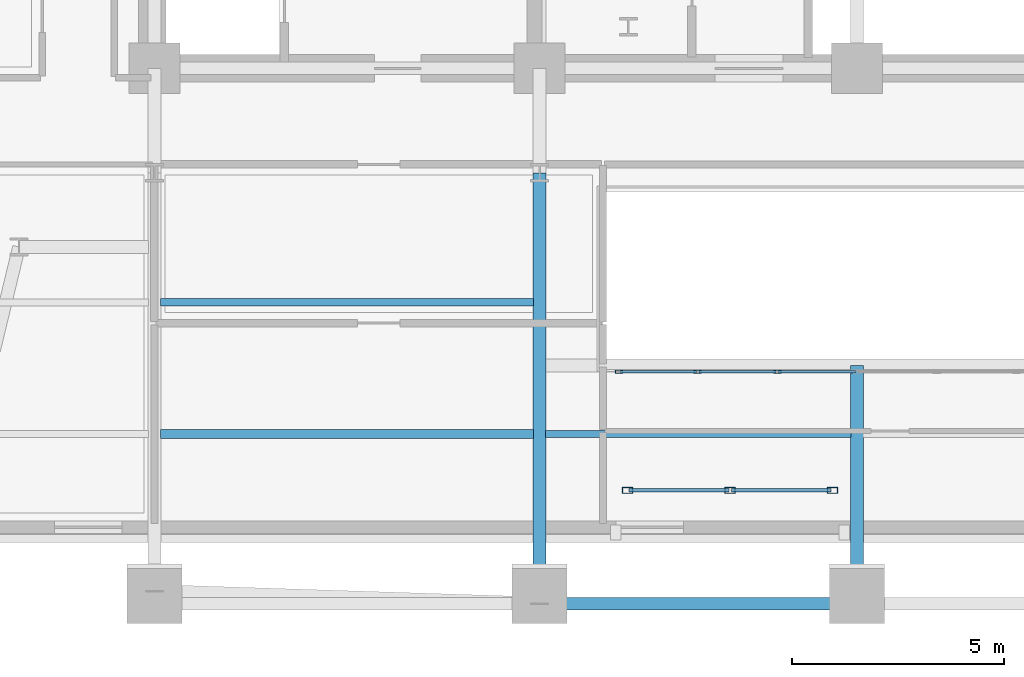
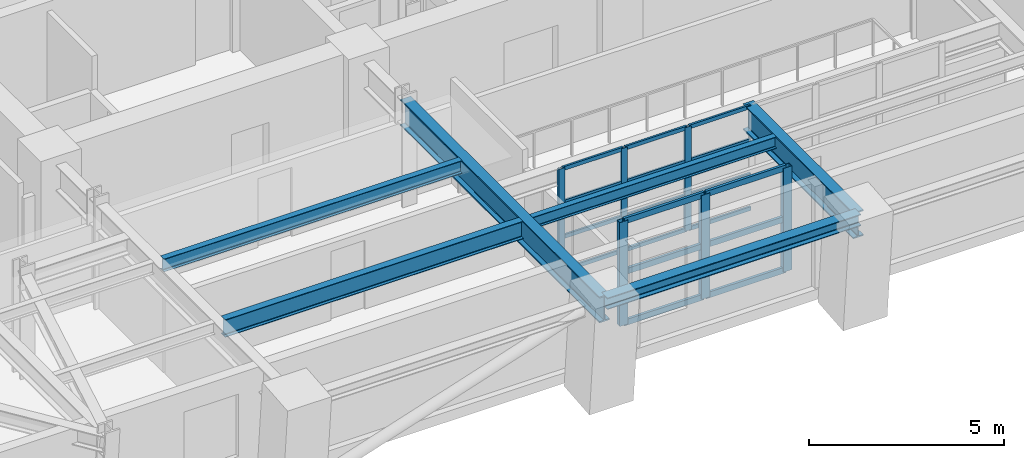
# One storey, part 2 of 16: 24 members, 6 beams, 2 elements without a shape of their own.
"""IFC4 building model written with IfcOpenShell, lengths in metres."""

from ifc_helpers import new_model, si_unit, direction, frame, origin, origin_2d, place, context, subcontext, project, spatial, hollow_rectangle, i_section, extrude, material, layer, layer_set, material_profile, profile_set, type_object, element, aggregate, save


model = new_model("IFC4")

# Units and contexts
model_context = context("Model", 3, precision=1e-05, world=origin(), true_north=direction((0.0, 1.0)))
body_context = subcontext(model_context, "Body", "Model", "MODEL_VIEW")
ifc_project = project(units=[si_unit("LENGTHUNIT", "METRE"), si_unit("AREAUNIT", "SQUARE_METRE"), si_unit("VOLUMEUNIT", "CUBIC_METRE"), si_unit("PLANEANGLEUNIT", "RADIAN"), si_unit("MASSUNIT", "GRAM", prefix="KILO")], contexts=[model_context])

# Site, building, storey
site_placement = place(None, origin())
site = spatial("IfcSite", under=ifc_project, at=site_placement, CompositionType="ELEMENT")
building_placement = place(site_placement, origin())
building = spatial("IfcBuilding", under=site, at=building_placement, Name="Zarnavel Station Tower", CompositionType="ELEMENT")
storey_placement = place(building_placement, frame((0.0, 0.0, 118.800048828125)))
storey = spatial("IfcBuildingStorey", under=building, at=storey_placement, Name="L32", CompositionType="ELEMENT", Elevation=118.800048828125)

# Curtain wall, members
ifc_material_1 = material(Name="Aluminium Dark Anodised and Solar-Control Glass", Category="aluminium")
ifc_layer_1 = layer(ifc_material_1, 0.179931640625)
ifc_layer_set_1 = layer_set([ifc_layer_1], Name="CWS3")
curtain_wall_type_1 = type_object("IfcCurtainWallType", Name="CWS3", PredefinedType="NOTDEFINED", material=ifc_layer_set_1)
curtain_wall_1_placement = place(storey_placement, origin())
curtain_wall_1 = element("IfcCurtainWall", 1, at=curtain_wall_1_placement, inside=storey, type_object=curtain_wall_type_1, Name="L32 Curtain Wall CWS3-L32-AS", PredefinedType="NOTDEFINED")
ifc_material_2 = material(Name="Steel S355J2 (Black Fluoropolymer Coated)", Category="steel")
ifc_material_profile_1 = material_profile(ifc_material_2, hollow_rectangle(XDim=0.080078125, YDim=0.179931640625, WallThickness=0.00634765625, at=origin_2d()), Name="RHS180x80x6.3")
ifc_profile_set_1 = profile_set([ifc_material_profile_1], Name="Steel S355J2 (Black Fluoropolymer Coated)")
member_type_1 = type_object("IfcMemberType", Name="CWS3_MUL", PredefinedType="MULLION", material=ifc_profile_set_1)
member_1_placement = place(storey_placement, frame((23.179931640625, 20.64990234375, 0.0), z_axis=(0.0, 0.0, 1.0), x_axis=(0.0, 1.0, 0.0)))
member_1 = element("IfcMember", 2, at=member_1_placement, type_object=member_type_1, Name="CW3 mullion 1", PredefinedType="MULLION", context=body_context, shape_type="SweptSolid", body=[
    extrude(hollow_rectangle(XDim=0.080078125, YDim=0.179931640625, WallThickness=0.00634765625, at=origin_2d()), origin(), (0.0, 0.0, 1.0), 3.239990234375),
])
member_2_placement = place(storey_placement, frame((25.033447265625, 20.64990234375, 0.0), z_axis=(0.0, 0.0, 1.0), x_axis=(0.0, 1.0, 0.0)))
member_2 = element("IfcMember", 3, at=member_2_placement, type_object=member_type_1, Name="CW3 mullion 2", PredefinedType="MULLION", context=body_context, shape_type="SweptSolid", body=[
    extrude(hollow_rectangle(XDim=0.080078125, YDim=0.179931640625, WallThickness=0.00634765625, at=origin_2d()), origin(), (0.0, 0.0, 1.0), 3.239990234375),
])
member_3_placement = place(storey_placement, frame((26.916748046875, 20.64990234375, 0.0), z_axis=(0.0, 0.0, 1.0), x_axis=(0.0, 1.0, 0.0)))
member_3 = element("IfcMember", 4, at=member_3_placement, type_object=member_type_1, Name="CW3 mullion 3", PredefinedType="MULLION", context=body_context, shape_type="SweptSolid", body=[
    extrude(hollow_rectangle(XDim=0.080078125, YDim=0.179931640625, WallThickness=0.00634765625, at=origin_2d()), origin(), (0.0, 0.0, 1.0), 3.239990234375),
])
ifc_material_3 = material(Name="Steel S355J2 (Black Fluoropolymer Coated)", Category="steel")
ifc_material_profile_2 = material_profile(ifc_material_3, hollow_rectangle(XDim=0.06005859375, YDim=0.1201171875, WallThickness=0.0048828125, at=origin_2d()), Name="RHS120x60x5")
ifc_profile_set_2 = profile_set([ifc_material_profile_2], Name="Steel S355J2 (Black Fluoropolymer Coated)")
member_type_2 = type_object("IfcMemberType", Name="CWS3_TRN", PredefinedType="USERDEFINED", material=ifc_profile_set_2)
member_4_placement = place(storey_placement, frame((23.2099609375, 20.64990234375, 0.030029296875), z_axis=(1.0, 0.0, 0.0), x_axis=(0.0, 1.0, 0.0)))
member_4 = element("IfcMember", 5, at=member_4_placement, type_object=member_type_2, Name="CW3 transom 1.1", ObjectType="TRANSOM", PredefinedType="USERDEFINED", context=body_context, shape_type="SweptSolid", body=[
    extrude(hollow_rectangle(XDim=0.06005859375, YDim=0.1201171875, WallThickness=0.0048828125, at=origin_2d()), origin(), (0.0, 0.0, 1.0), 1.79345703125),
])
member_5_placement = place(storey_placement, frame((23.2099609375, 20.64990234375, 1.079833984375), z_axis=(1.0, 0.0, 0.0), x_axis=(0.0, 1.0, 0.0)))
member_5 = element("IfcMember", 6, at=member_5_placement, type_object=member_type_2, Name="CW3 transom 1.2", ObjectType="TRANSOM", PredefinedType="USERDEFINED", context=body_context, shape_type="SweptSolid", body=[
    extrude(hollow_rectangle(XDim=0.06005859375, YDim=0.1201171875, WallThickness=0.0048828125, at=origin_2d()), origin(), (0.0, 0.0, 1.0), 1.79345703125),
])
member_6_placement = place(storey_placement, frame((23.2099609375, 20.64990234375, 2.159912109375), z_axis=(1.0, 0.0, 0.0), x_axis=(0.0, 1.0, 0.0)))
member_6 = element("IfcMember", 7, at=member_6_placement, type_object=member_type_2, Name="CW3 transom 1.3", ObjectType="TRANSOM", PredefinedType="USERDEFINED", context=body_context, shape_type="SweptSolid", body=[
    extrude(hollow_rectangle(XDim=0.06005859375, YDim=0.1201171875, WallThickness=0.0048828125, at=origin_2d()), origin(), (0.0, 0.0, 1.0), 1.79345703125),
])
member_7_placement = place(storey_placement, frame((23.2099609375, 20.64990234375, 3.2099609375), z_axis=(1.0, 0.0, 0.0), x_axis=(0.0, 1.0, 0.0)))
member_7 = element("IfcMember", 8, at=member_7_placement, type_object=member_type_2, Name="CW3 transom 1.4", ObjectType="TRANSOM", PredefinedType="USERDEFINED", context=body_context, shape_type="SweptSolid", body=[
    extrude(hollow_rectangle(XDim=0.06005859375, YDim=0.1201171875, WallThickness=0.0048828125, at=origin_2d()), origin(), (0.0, 0.0, 1.0), 1.79345703125),
])
member_8_placement = place(storey_placement, frame((25.063232421875, 20.64990234375, 0.030029296875), z_axis=(1.0, 0.0, 0.0), x_axis=(0.0, 1.0, 0.0)))
member_8 = element("IfcMember", 9, at=member_8_placement, type_object=member_type_2, Name="CW3 transom 2.1", ObjectType="TRANSOM", PredefinedType="USERDEFINED", context=body_context, shape_type="SweptSolid", body=[
    extrude(hollow_rectangle(XDim=0.06005859375, YDim=0.1201171875, WallThickness=0.0048828125, at=origin_2d()), origin(), (0.0, 0.0, 1.0), 1.823486328125),
])
member_9_placement = place(storey_placement, frame((25.063232421875, 20.64990234375, 1.079833984375), z_axis=(1.0, 0.0, 0.0), x_axis=(0.0, 1.0, 0.0)))
member_9 = element("IfcMember", 10, at=member_9_placement, type_object=member_type_2, Name="CW3 transom 2.2", ObjectType="TRANSOM", PredefinedType="USERDEFINED", context=body_context, shape_type="SweptSolid", body=[
    extrude(hollow_rectangle(XDim=0.06005859375, YDim=0.1201171875, WallThickness=0.0048828125, at=origin_2d()), origin(), (0.0, 0.0, 1.0), 1.823486328125),
])
member_10_placement = place(storey_placement, frame((25.063232421875, 20.64990234375, 2.159912109375), z_axis=(1.0, 0.0, 0.0), x_axis=(0.0, 1.0, 0.0)))
member_10 = element("IfcMember", 11, at=member_10_placement, type_object=member_type_2, Name="CW3 transom 2.3", ObjectType="TRANSOM", PredefinedType="USERDEFINED", context=body_context, shape_type="SweptSolid", body=[
    extrude(hollow_rectangle(XDim=0.06005859375, YDim=0.1201171875, WallThickness=0.0048828125, at=origin_2d()), origin(), (0.0, 0.0, 1.0), 1.823486328125),
])
member_11_placement = place(storey_placement, frame((25.063232421875, 20.64990234375, 3.2099609375), z_axis=(1.0, 0.0, 0.0), x_axis=(0.0, 1.0, 0.0)))
member_11 = element("IfcMember", 12, at=member_11_placement, type_object=member_type_2, Name="CW3 transom 2.4", ObjectType="TRANSOM", PredefinedType="USERDEFINED", context=body_context, shape_type="SweptSolid", body=[
    extrude(hollow_rectangle(XDim=0.06005859375, YDim=0.1201171875, WallThickness=0.0048828125, at=origin_2d()), origin(), (0.0, 0.0, 1.0), 1.823486328125),
])
member_12_placement = place(storey_placement, frame((26.94677734375, 20.64990234375, 0.030029296875), z_axis=(1.0, 0.0, 0.0), x_axis=(0.0, 1.0, 0.0)))
member_12 = element("IfcMember", 13, at=member_12_placement, type_object=member_type_2, Name="CW3 transom 3.1", ObjectType="TRANSOM", PredefinedType="USERDEFINED", context=body_context, shape_type="SweptSolid", body=[
    extrude(hollow_rectangle(XDim=0.06005859375, YDim=0.1201171875, WallThickness=0.0048828125, at=origin_2d()), origin(), (0.0, 0.0, 1.0), 1.8232421875),
])
member_13_placement = place(storey_placement, frame((26.94677734375, 20.64990234375, 1.079833984375), z_axis=(1.0, 0.0, 0.0), x_axis=(0.0, 1.0, 0.0)))
member_13 = element("IfcMember", 14, at=member_13_placement, type_object=member_type_2, Name="CW3 transom 3.2", ObjectType="TRANSOM", PredefinedType="USERDEFINED", context=body_context, shape_type="SweptSolid", body=[
    extrude(hollow_rectangle(XDim=0.06005859375, YDim=0.1201171875, WallThickness=0.0048828125, at=origin_2d()), origin(), (0.0, 0.0, 1.0), 1.8232421875),
])
member_14_placement = place(storey_placement, frame((26.94677734375, 20.64990234375, 2.159912109375), z_axis=(1.0, 0.0, 0.0), x_axis=(0.0, 1.0, 0.0)))
member_14 = element("IfcMember", 15, at=member_14_placement, type_object=member_type_2, Name="CW3 transom 3.3", ObjectType="TRANSOM", PredefinedType="USERDEFINED", context=body_context, shape_type="SweptSolid", body=[
    extrude(hollow_rectangle(XDim=0.06005859375, YDim=0.1201171875, WallThickness=0.0048828125, at=origin_2d()), origin(), (0.0, 0.0, 1.0), 1.8232421875),
])
member_15_placement = place(storey_placement, frame((26.94677734375, 20.64990234375, 3.2099609375), z_axis=(1.0, 0.0, 0.0), x_axis=(0.0, 1.0, 0.0)))
member_15 = element("IfcMember", 16, at=member_15_placement, type_object=member_type_2, Name="CW3 transom 3.4", ObjectType="TRANSOM", PredefinedType="USERDEFINED", context=body_context, shape_type="SweptSolid", body=[
    extrude(hollow_rectangle(XDim=0.06005859375, YDim=0.1201171875, WallThickness=0.0048828125, at=origin_2d()), origin(), (0.0, 0.0, 1.0), 1.8232421875),
])
aggregate(curtain_wall_1, [member_1, member_2, member_3, member_4, member_5, member_6, member_7, member_8, member_9, member_10, member_11, member_12, member_13, member_14, member_15])

ifc_material_4 = material(Name="Aluminium Dark Anodised and Solar-Control Glass", Category="aluminium")
ifc_layer_2 = layer(ifc_material_4, 0.179931640625)
ifc_layer_set_2 = layer_set([ifc_layer_2], Name="CWS6")
curtain_wall_type_2 = type_object("IfcCurtainWallType", Name="CWS6", PredefinedType="NOTDEFINED", material=ifc_layer_set_2)
curtain_wall_2_placement = place(storey_placement, origin())
curtain_wall_2 = element("IfcCurtainWall", 17, at=curtain_wall_2_placement, inside=storey, type_object=curtain_wall_type_2, Name="L32 Curtain Wall CWS6-LOG-L32", PredefinedType="NOTDEFINED")
ifc_material_5 = material(Name="Steel S355J2 (Black Fluoropolymer Coated)", Category="steel")
ifc_material_profile_3 = material_profile(ifc_material_5, hollow_rectangle(XDim=0.14990234375, YDim=0.25, WallThickness=0.010009765625, at=origin_2d()), Name="RHS250x150x10")
ifc_profile_set_3 = profile_set([ifc_material_profile_3], Name="Steel S355J2 (Black Fluoropolymer Coated)")
member_type_3 = type_object("IfcMemberType", Name="CWS6_MUL", PredefinedType="MULLION", material=ifc_profile_set_3)
member_16_placement = place(storey_placement, frame((23.3798828125, 17.85009765625, 0.0), z_axis=(0.0, 0.0, 1.0), x_axis=(0.0, 1.0, 0.0)))
member_16 = element("IfcMember", 18, at=member_16_placement, type_object=member_type_3, Name="CW6 mullion 1", PredefinedType="MULLION", context=body_context, shape_type="SweptSolid", body=[
    extrude(hollow_rectangle(XDim=0.14990234375, YDim=0.25, WallThickness=0.010009765625, at=origin_2d()), origin(), (0.0, 0.0, 1.0), 3.239990234375),
])
member_17_placement = place(storey_placement, frame((25.800048828125, 17.85009765625, 0.0), z_axis=(0.0, 0.0, 1.0), x_axis=(0.0, 1.0, 0.0)))
member_17 = element("IfcMember", 19, at=member_17_placement, type_object=member_type_3, Name="CW6 mullion 2", PredefinedType="MULLION", context=body_context, shape_type="SweptSolid", body=[
    extrude(hollow_rectangle(XDim=0.14990234375, YDim=0.25, WallThickness=0.010009765625, at=origin_2d()), origin(), (0.0, 0.0, 1.0), 3.239990234375),
])
member_18_placement = place(storey_placement, frame((28.219970703125, 17.85009765625, 0.0), z_axis=(0.0, 0.0, 1.0), x_axis=(0.0, 1.0, 0.0)))
member_18 = element("IfcMember", 20, at=member_18_placement, type_object=member_type_3, Name="CW6 mullion 3", PredefinedType="MULLION", context=body_context, shape_type="SweptSolid", body=[
    extrude(hollow_rectangle(XDim=0.14990234375, YDim=0.25, WallThickness=0.010009765625, at=origin_2d()), origin(), (0.0, 0.0, 1.0), 3.239990234375),
])
ifc_material_6 = material(Name="Steel S355J2 (Black Fluoropolymer Coated)", Category="steel")
ifc_material_profile_4 = material_profile(ifc_material_6, hollow_rectangle(XDim=0.080078125, YDim=0.179931640625, WallThickness=0.00634765625, at=origin_2d()), Name="RHS180x80x6.3")
ifc_profile_set_4 = profile_set([ifc_material_profile_4], Name="Steel S355J2 (Black Fluoropolymer Coated)")
member_type_4 = type_object("IfcMemberType", Name="CWS6_TRN", PredefinedType="USERDEFINED", material=ifc_profile_set_4)
member_19_placement = place(storey_placement, frame((23.409912109375, 17.85009765625, 0.030029296875), z_axis=(1.0, 0.0, 0.0), x_axis=(0.0, 1.0, 0.0)))
member_19 = element("IfcMember", 21, at=member_19_placement, type_object=member_type_4, Name="CW6 transom 1.1", ObjectType="TRANSOM", PredefinedType="USERDEFINED", context=body_context, shape_type="SweptSolid", body=[
    extrude(hollow_rectangle(XDim=0.080078125, YDim=0.179931640625, WallThickness=0.00634765625, at=origin_2d()), origin(), (0.0, 0.0, 1.0), 2.360107421875),
])
member_20_placement = place(storey_placement, frame((23.409912109375, 17.85009765625, 1.619873046875), z_axis=(1.0, 0.0, 0.0), x_axis=(0.0, 1.0, 0.0)))
member_20 = element("IfcMember", 22, at=member_20_placement, type_object=member_type_4, Name="CW6 transom 1.2", ObjectType="TRANSOM", PredefinedType="USERDEFINED", context=body_context, shape_type="SweptSolid", body=[
    extrude(hollow_rectangle(XDim=0.080078125, YDim=0.179931640625, WallThickness=0.00634765625, at=origin_2d()), origin(), (0.0, 0.0, 1.0), 2.360107421875),
])
member_21_placement = place(storey_placement, frame((23.409912109375, 17.85009765625, 3.2099609375), z_axis=(1.0, 0.0, 0.0), x_axis=(0.0, 1.0, 0.0)))
member_21 = element("IfcMember", 23, at=member_21_placement, type_object=member_type_4, Name="CW6 transom 1.3", ObjectType="TRANSOM", PredefinedType="USERDEFINED", context=body_context, shape_type="SweptSolid", body=[
    extrude(hollow_rectangle(XDim=0.080078125, YDim=0.179931640625, WallThickness=0.00634765625, at=origin_2d()), origin(), (0.0, 0.0, 1.0), 2.360107421875),
])
member_22_placement = place(storey_placement, frame((25.830078125, 17.85009765625, 0.030029296875), z_axis=(1.0, 0.0, 0.0), x_axis=(0.0, 1.0, 0.0)))
member_22 = element("IfcMember", 24, at=member_22_placement, type_object=member_type_4, Name="CW6 transom 2.1", ObjectType="TRANSOM", PredefinedType="USERDEFINED", context=body_context, shape_type="SweptSolid", body=[
    extrude(hollow_rectangle(XDim=0.080078125, YDim=0.179931640625, WallThickness=0.00634765625, at=origin_2d()), origin(), (0.0, 0.0, 1.0), 2.35986328125),
])
member_23_placement = place(storey_placement, frame((25.830078125, 17.85009765625, 1.619873046875), z_axis=(1.0, 0.0, 0.0), x_axis=(0.0, 1.0, 0.0)))
member_23 = element("IfcMember", 25, at=member_23_placement, type_object=member_type_4, Name="CW6 transom 2.2", ObjectType="TRANSOM", PredefinedType="USERDEFINED", context=body_context, shape_type="SweptSolid", body=[
    extrude(hollow_rectangle(XDim=0.080078125, YDim=0.179931640625, WallThickness=0.00634765625, at=origin_2d()), origin(), (0.0, 0.0, 1.0), 2.35986328125),
])
member_24_placement = place(storey_placement, frame((25.830078125, 17.85009765625, 3.2099609375), z_axis=(1.0, 0.0, 0.0), x_axis=(0.0, 1.0, 0.0)))
member_24 = element("IfcMember", 26, at=member_24_placement, type_object=member_type_4, Name="CW6 transom 2.3", ObjectType="TRANSOM", PredefinedType="USERDEFINED", context=body_context, shape_type="SweptSolid", body=[
    extrude(hollow_rectangle(XDim=0.080078125, YDim=0.179931640625, WallThickness=0.00634765625, at=origin_2d()), origin(), (0.0, 0.0, 1.0), 2.35986328125),
])
aggregate(curtain_wall_2, [member_16, member_17, member_18, member_19, member_20, member_21, member_22, member_23, member_24])

# Beams
ifc_material_7 = material(Name="Steel S355J2", Category="steel")
ifc_material_profile_5 = material_profile(ifc_material_7, i_section(OverallWidth=0.300048828125, OverallDepth=0.360107421875, WebThickness=0.012451171875, FlangeThickness=0.0224609375, FilletRadius=0.027099609375, at=origin_2d()), Name="HEB360")
ifc_profile_set_5 = profile_set([ifc_material_profile_5], Name="Steel S355J2")
beam_type_1 = type_object("IfcBeamType", Name="EB_HEB360", PredefinedType="SPANDREL", material=ifc_profile_set_5)
beam_1_placement = place(storey_placement, frame((21.300048828125, 15.168701171875, 3.06005859375), z_axis=(1.0, 0.0, 0.0), x_axis=(0.0, 1.0, 0.0)))
element("IfcBeam", 27, at=beam_1_placement, inside=storey, type_object=beam_type_1, Name="L32 South Raked Spandrel 2", PredefinedType="SPANDREL", context=body_context, shape_type="SweptSolid", body=[
    extrude(i_section(OverallWidth=0.300048828125, OverallDepth=0.360107421875, WebThickness=0.012451171875, FlangeThickness=0.0224609375, FilletRadius=0.027099609375, at=origin_2d()), origin(), (0.0, 0.0, 1.0), 7.5),
])
ifc_material_8 = material(Name="Steel S355J2", Category="steel")
ifc_material_profile_6 = material_profile(ifc_material_8, i_section(OverallWidth=0.179931640625, OverallDepth=0.39990234375, WebThickness=0.008544921875, FlangeThickness=0.013427734375, FilletRadius=0.02099609375, at=origin_2d()), Name="IPE400")
ifc_profile_set_6 = profile_set([ifc_material_profile_6], Name="Steel S355J2")
beam_type_2 = type_object("IfcBeamType", Name="FB_IPE400", PredefinedType="BEAM", material=ifc_profile_set_6)
beam_2_placement = place(storey_placement, frame((12.344970703125, 22.28955078125, 3.0400390625), z_axis=(1.0, 0.0, 0.0), x_axis=(0.0, 1.0, 0.0)))
element("IfcBeam", 28, at=beam_2_placement, inside=storey, type_object=beam_type_2, Name="L32 West Bay Beam 2", PredefinedType="BEAM", context=body_context, shape_type="SweptSolid", body=[
    extrude(i_section(OverallWidth=0.179931640625, OverallDepth=0.39990234375, WebThickness=0.008544921875, FlangeThickness=0.013427734375, FilletRadius=0.02099609375, at=origin_2d()), origin(), (0.0, 0.0, 1.0), 8.81005859375),
])
ifc_material_9 = material(Name="Steel S355J2", Category="steel")
ifc_material_profile_7 = material_profile(ifc_material_9, i_section(OverallWidth=0.2099609375, OverallDepth=0.550048828125, WebThickness=0.010986328125, FlangeThickness=0.01708984375, FilletRadius=0.02392578125, at=origin_2d()), Name="IPE550")
ifc_profile_set_7 = profile_set([ifc_material_profile_7], Name="Steel S355J2")
beam_type_3 = type_object("IfcBeamType", Name="FB_IPE550", PredefinedType="BEAM", material=ifc_profile_set_7)
beam_3_placement = place(storey_placement, frame((12.344970703125, 19.17919921875, 2.96484375), z_axis=(1.0, 0.0, 0.0), x_axis=(0.0, 1.0, 0.0)))
element("IfcBeam", 29, at=beam_3_placement, inside=storey, type_object=beam_type_3, Name="L32 West Bay Beam 1", PredefinedType="BEAM", context=body_context, shape_type="SweptSolid", body=[
    extrude(i_section(OverallWidth=0.2099609375, OverallDepth=0.550048828125, WebThickness=0.010986328125, FlangeThickness=0.01708984375, FilletRadius=0.02392578125, at=origin_2d()), origin(), (0.0, 0.0, 1.0), 8.81005859375),
])
ifc_material_10 = material(Name="Steel S460M", Category="steel")
ifc_material_profile_8 = material_profile(ifc_material_10, i_section(OverallWidth=0.302978515625, OverallDepth=0.81396484375, WebThickness=0.02099609375, FlangeThickness=0.0400390625, FilletRadius=0.030029296875, at=origin_2d()), Name="HEM800")
ifc_profile_set_8 = profile_set([ifc_material_profile_8], Name="Steel S460M")
beam_type_4 = type_object("IfcBeamType", Name="FG_HEM800", PredefinedType="USERDEFINED", material=ifc_profile_set_8)
beam_4_placement = place(storey_placement, frame((21.300048828125, 15.168701171875, 2.8330078125), z_axis=(0.0, 1.0, 0.0), x_axis=(-1.0, 0.0, 0.0)))
element("IfcBeam", 30, at=beam_4_placement, inside=storey, type_object=beam_type_4, Name="L32 South-Zone NS Girder 2", ObjectType="GIRDER", PredefinedType="USERDEFINED", context=body_context, shape_type="SweptSolid", body=[
    extrude(i_section(OverallWidth=0.302978515625, OverallDepth=0.81396484375, WebThickness=0.02099609375, FlangeThickness=0.0400390625, FilletRadius=0.030029296875, at=origin_2d()), origin(), (0.0, 0.0, 1.0), 10.181396484375),
])
beam_5_placement = place(storey_placement, frame((28.800048828125, 15.168701171875, 2.8330078125), z_axis=(0.0, 1.0, 0.0), x_axis=(-1.0, 0.0, 0.0)))
element("IfcBeam", 31, at=beam_5_placement, inside=storey, type_object=beam_type_4, Name="L32 Central Atrium-South Girder", ObjectType="GIRDER", PredefinedType="USERDEFINED", context=body_context, shape_type="SweptSolid", body=[
    extrude(i_section(OverallWidth=0.302978515625, OverallDepth=0.81396484375, WebThickness=0.02099609375, FlangeThickness=0.0400390625, FilletRadius=0.030029296875, at=origin_2d()), origin(), (0.0, 0.0, 1.0), 5.63134765625),
])
ifc_material_11 = material(Name="Steel S355J2", Category="steel")
ifc_material_profile_9 = material_profile(ifc_material_11, i_section(OverallWidth=0.169921875, OverallDepth=0.360107421875, WebThickness=0.008056640625, FlangeThickness=0.0126953125, FilletRadius=0.01806640625, at=origin_2d()), Name="IPE360")
ifc_profile_set_9 = profile_set([ifc_material_profile_9], Name="Steel S355J2")
beam_type_5 = type_object("IfcBeamType", Name="FJ_IPE360", PredefinedType="JOIST", material=ifc_profile_set_9)
beam_6_placement = place(storey_placement, frame((21.445068359375, 19.17919921875, 3.06005859375), z_axis=(1.0, 0.0, 0.0), x_axis=(0.0, 1.0, 0.0)))
element("IfcBeam", 32, at=beam_6_placement, inside=storey, type_object=beam_type_5, Name="L32 Mid-West Joist 1", PredefinedType="JOIST", context=body_context, shape_type="SweptSolid", body=[
    extrude(i_section(OverallWidth=0.169921875, OverallDepth=0.360107421875, WebThickness=0.008056640625, FlangeThickness=0.0126953125, FilletRadius=0.01806640625, at=origin_2d()), origin(), (0.0, 0.0, 1.0), 7.2099609375),
])

save(model, "model.ifc")
